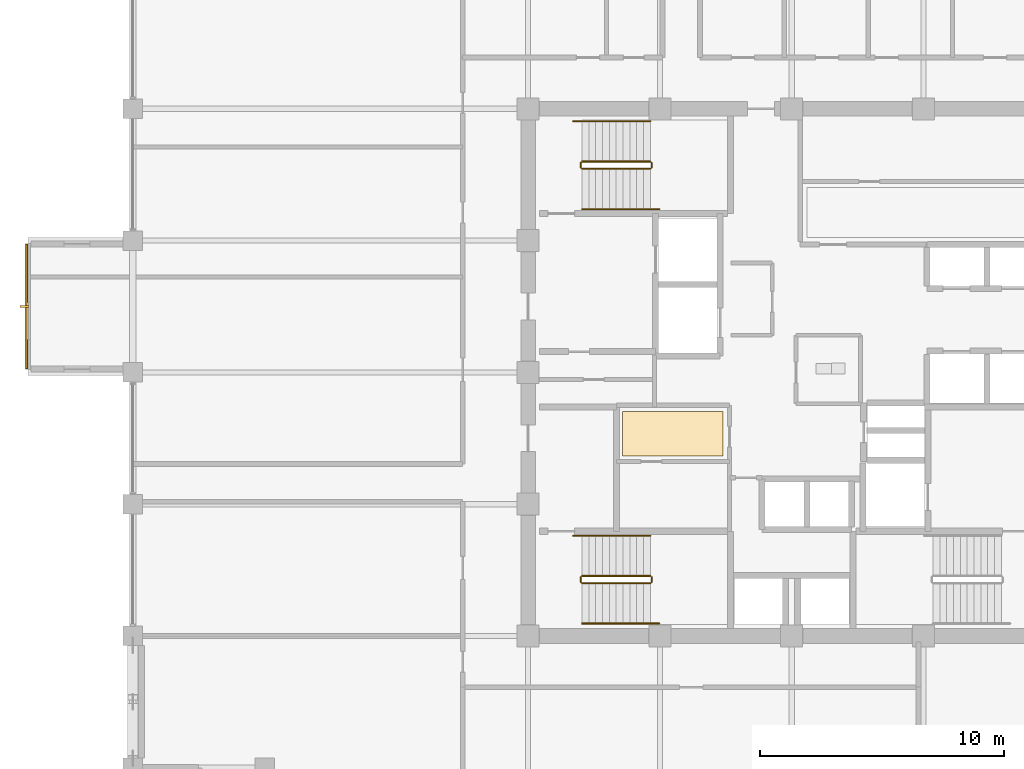
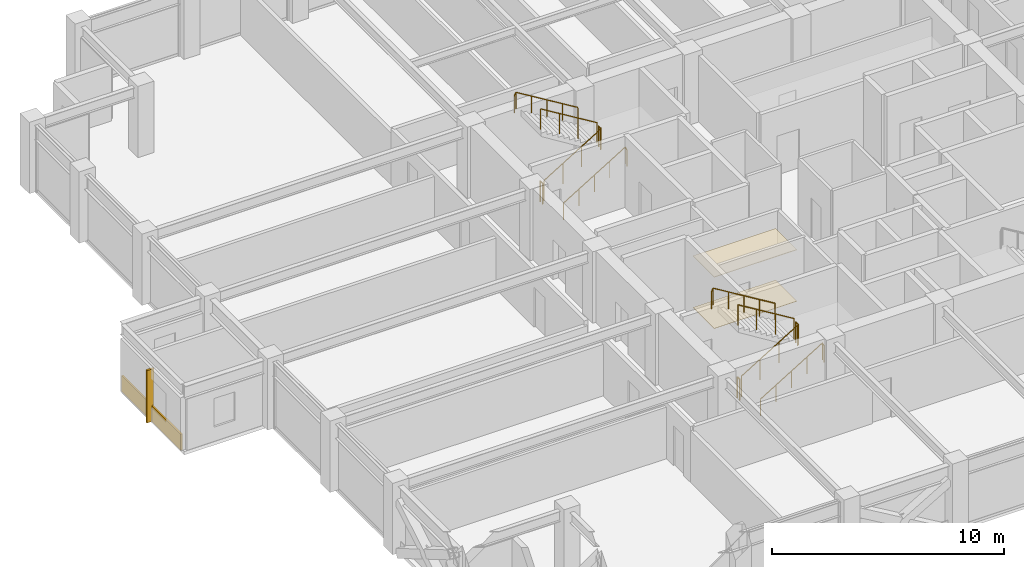
# One storey, part 26 of 28: 12 railings, 3 coverings, 1 shading device.
"""IFC4 building model written with IfcOpenShell, lengths in metres."""

import ifcopenshell
import ifcopenshell.guid

model = None  # the IFC model being written
_history = None  # IfcOwnerHistory: only IFC2X3 demands one
_inside = {}  # id of a spatial element -> (the spatial element, [elements in it])
_under = {}  # id of a project, library or spatial element -> (it, [spatial elements below it])
_declared = {}  # id of a project -> (the project, [libraries it declares])
_typed = {}  # id of a type object -> (the type object, [elements of that type])
_made_of = {}  # id of a material, layer set ... -> (it, [elements and type objects made of it])


def new_model(schema):
    """Start an empty IFC model of exactly this schema.

    Asked for "IFC4X3", IfcOpenShell would pick the latest addendum, in which some entities
    have other attributes; the version numbers below select the first issue.
    IFC2X3 requires an IfcOwnerHistory on every rooted entity: one is made here for all.
    """
    global model, _history
    if schema == "IFC4X3":
        model = ifcopenshell.file(schema_version=(4, 3, 0, 0))
    else:
        model = ifcopenshell.file(schema=schema)
    _inside.clear()
    _under.clear()
    _declared.clear()
    _typed.clear()
    _made_of.clear()
    _history = None
    if model.schema == "IFC2X3":
        org = make("IfcOrganization", Name="unknown")
        user = make(
            "IfcPersonAndOrganization",
            ThePerson=make("IfcPerson", FamilyName="unknown"),
            TheOrganization=org,
        )
        app = make(
            "IfcApplication",
            ApplicationDeveloper=org,
            Version="unknown",
            ApplicationFullName="unknown",
            ApplicationIdentifier="unknown",
        )
        _history = make(
            "IfcOwnerHistory",
            OwningUser=user,
            OwningApplication=app,
            ChangeAction="ADDED",
            CreationDate=0,
        )
    return model


def make(cls, **values):
    """One entity of the class cls with the attributes given. An attribute that is None is left unset."""
    return model.create_entity(
        cls, **{name: value for name, value in values.items() if value is not None}
    )


def rooted(cls, **values):
    """An entity with a GlobalId (a new one), such as an element, a storey or a relation."""
    return make(cls, GlobalId=ifcopenshell.guid.new(), OwnerHistory=_history, **values)


def si_unit(unit_type, name, prefix=None):
    """IfcSIUnit, for example si_unit("LENGTHUNIT", "METRE", prefix="MILLI")."""
    return make("IfcSIUnit", UnitType=unit_type, Prefix=prefix, Name=name)


def assignment(units):
    """IfcUnitAssignment: the units of a project."""
    return None if units is None else make("IfcUnitAssignment", Units=units)


def point(xyz):
    """IfcCartesianPoint."""
    return None if xyz is None else make("IfcCartesianPoint", Coordinates=xyz)


def direction(xyz):
    """IfcDirection."""
    return None if xyz is None else make("IfcDirection", DirectionRatios=xyz)


def frame(location, z_axis=None, x_axis=None):
    """IfcAxis2Placement3D, a coordinate frame: its origin and axes. An axis left out is left unset."""
    return make(
        "IfcAxis2Placement3D",
        Location=point(location),
        Axis=direction(z_axis),
        RefDirection=direction(x_axis),
    )


def frame_2d(location, x_axis=None):
    """IfcAxis2Placement2D, a coordinate frame in the plane: its origin and x axis."""
    return make(
        "IfcAxis2Placement2D", Location=point(location), RefDirection=direction(x_axis)
    )


def origin():
    """The frame at (0, 0, 0) with its axes left unset."""
    return frame((0.0, 0.0, 0.0))


def origin_2d():
    """The frame at (0, 0) in the plane with its x axis left unset."""
    return frame_2d((0.0, 0.0))


def place(relative_to, where):
    """IfcLocalPlacement: puts the frame where relative to a parent placement (None: the world)."""
    return make(
        "IfcLocalPlacement", PlacementRelTo=relative_to, RelativePlacement=where
    )


def context(
    kind, dimensions, precision=None, world=None, true_north=None, identifier=None
):
    """IfcGeometricRepresentationContext, for example the 3D "Model" context."""
    return make(
        "IfcGeometricRepresentationContext",
        ContextIdentifier=identifier,
        ContextType=kind,
        CoordinateSpaceDimension=dimensions,
        Precision=precision,
        WorldCoordinateSystem=world,
        TrueNorth=true_north,
    )


def subcontext(parent, identifier, kind, view, scale=None):
    """IfcGeometricRepresentationSubContext, for example "Body" below "Model"."""
    return make(
        "IfcGeometricRepresentationSubContext",
        ContextIdentifier=identifier,
        ContextType=kind,
        ParentContext=parent,
        TargetScale=scale,
        TargetView=view,
    )


def project(units=None, contexts=None):
    """IfcProject with its units and contexts."""
    return rooted(
        "IfcProject",
        Name="project",
        RepresentationContexts=contexts,
        UnitsInContext=assignment(units),
    )


def spatial(cls, under=None, at=None, **own):
    """A site, building, storey or space (cls), placed at a placement, below another one or the project."""
    s = rooted(cls, ObjectPlacement=at, **own)
    if under is not None:
        _under.setdefault(under.id(), (under, []))[1].append(s)
    return s


def polyline(points):
    """IfcPolyline through the points."""
    return make("IfcPolyline", Points=[point(p) for p in points])


def profile(cls, at=None, kind="AREA", **sizes):
    """A parametric profile (cls). Its sizes go by their IFC names, for example OverallWidth=200.0."""
    return make(cls, ProfileType=kind, Position=at, **sizes)


def rectangle(**sizes):
    """IfcRectangleProfileDef."""
    return profile("IfcRectangleProfileDef", **sizes)


def circle(**sizes):
    """IfcCircleProfileDef."""
    return profile("IfcCircleProfileDef", **sizes)


def outline(outer, holes=None, kind="AREA"):
    """IfcArbitraryClosedProfileDef: a profile drawn as a closed curve; with holes, ...WithVoids."""
    if holes is None:
        return make("IfcArbitraryClosedProfileDef", ProfileType=kind, OuterCurve=outer)
    return make(
        "IfcArbitraryProfileDefWithVoids",
        ProfileType=kind,
        OuterCurve=outer,
        InnerCurves=holes,
    )


def extrude(swept, where, along, depth):
    """IfcExtrudedAreaSolid: the profile swept, set in the frame where, extruded along a direction by depth."""
    return make(
        "IfcExtrudedAreaSolid",
        SweptArea=swept,
        Position=where,
        ExtrudedDirection=direction(along),
        Depth=depth,
    )


def shape(context_of_items, identifier, shape_type, items):
    """IfcShapeRepresentation: the items that make up one representation, for example the "Body"."""
    return make(
        "IfcShapeRepresentation",
        ContextOfItems=context_of_items,
        RepresentationIdentifier=identifier,
        RepresentationType=shape_type,
        Items=items,
    )


def material(Name=None, Category=None):
    """IfcMaterial."""
    return make("IfcMaterial", Name=Name, Category=Category)


def layer(
    of_material, thickness, ventilated=None, Name=None, Category=None, Priority=None
):
    """IfcMaterialLayer: one layer of a wall or slab, of a material (None: an air gap)."""
    return make(
        "IfcMaterialLayer",
        Material=of_material,
        LayerThickness=thickness,
        IsVentilated=ventilated,
        Name=Name,
        Category=Category,
        Priority=Priority,
    )


def layer_set(layers, Name=None):
    """IfcMaterialLayerSet."""
    return make("IfcMaterialLayerSet", MaterialLayers=layers, LayerSetName=Name)


def made_of(thing, what):
    """Note that an element or type object is made of a material, layer set ...; save() writes the relation."""
    if what is not None:
        _made_of.setdefault(what.id(), (what, []))[1].append(thing)
    return thing


def type_object(cls, material=None, **own):
    """A type object (cls), such as IfcWallType, which elements share."""
    return made_of(rooted(cls, **own), material)


def element(
    cls,
    number,
    at=None,
    inside=None,
    cuts=None,
    type_object=None,
    material=None,
    context=None,
    identifier="Body",
    shape_type=None,
    held_by="IfcProductDefinitionShape",
    body=None,
    shapes=None,
    **own,
):
    """One element of the class cls, such as IfcWall. Its Tag is "e" and its number.

    at: its placement. inside: the storey or other place that contains it. cuts: it is an
    opening in that element (IfcRelVoidsElement). A single representation is given by context,
    identifier, shape_type and body (its items); several are given by shapes. held_by: the class
    of the entity that holds the representations. save() writes the other relations.
    """
    e = rooted(cls, Tag="e%d" % number, ObjectPlacement=at, **own)
    if body is not None:
        shapes = [shape(context, identifier, shape_type, body)]
    if shapes is not None:
        e.Representation = make(held_by, Representations=shapes)
    if inside is not None:
        _inside.setdefault(inside.id(), (inside, []))[1].append(e)
    if cuts is not None:
        rooted(
            "IfcRelVoidsElement", RelatingBuildingElement=cuts, RelatedOpeningElement=e
        )
    if type_object is not None:
        _typed.setdefault(type_object.id(), (type_object, []))[1].append(e)
    return made_of(e, material)


def aggregate(whole, parts):
    """IfcRelAggregates: a whole, such as a stair, and the parts it consists of."""
    return rooted("IfcRelAggregates", RelatingObject=whole, RelatedObjects=parts)


def save(model, path):
    """Write the relations noted so far, then the file.

    IfcRelAggregates (storeys below a building ...), IfcRelContainedInSpatialStructure (elements
    in a storey), IfcRelDefinesByType, IfcRelAssociatesMaterial and IfcRelDeclares: one each for
    every whole, place, type object, material and project.
    """
    for whole, parts in _under.values():
        aggregate(whole, parts)
    for where, things in _inside.values():
        rooted(
            "IfcRelContainedInSpatialStructure",
            RelatedElements=things,
            RelatingStructure=where,
        )
    for kind, things in _typed.values():
        rooted("IfcRelDefinesByType", RelatedObjects=things, RelatingType=kind)
    for what, things in _made_of.values():
        rooted("IfcRelAssociatesMaterial", RelatedObjects=things, RelatingMaterial=what)
    for by, libraries in _declared.values():
        rooted("IfcRelDeclares", RelatingContext=by, RelatedDefinitions=libraries)
    model.write(path)


model = new_model("IFC4")

# Units and contexts
model_context = context("Model", 3, precision=1e-05, world=origin(), true_north=direction((0.0, 1.0)))
body_context = subcontext(model_context, "Body", "Model", "MODEL_VIEW")
ifc_project = project(units=[si_unit("LENGTHUNIT", "METRE"), si_unit("AREAUNIT", "SQUARE_METRE"), si_unit("VOLUMEUNIT", "CUBIC_METRE"), si_unit("PLANEANGLEUNIT", "RADIAN"), si_unit("MASSUNIT", "GRAM", prefix="KILO")], contexts=[model_context])

# Site, building, storey
site_placement = place(None, origin())
site = spatial("IfcSite", under=ifc_project, at=site_placement, CompositionType="ELEMENT")
building_placement = place(site_placement, origin())
building = spatial("IfcBuilding", under=site, at=building_placement, Name="Surkhivell Harbour Commons", CompositionType="ELEMENT")
storey_placement = place(building_placement, frame((0.0, 0.0, 246.0)))
storey = spatial("IfcBuildingStorey", under=building, at=storey_placement, Name="L64", CompositionType="ELEMENT", Elevation=246.0)

# Coverings
ifc_material_1 = material(Name="Moisture-resistant gypsum acoustic ceiling board", Category="other")
ifc_layer_1 = layer(ifc_material_1, 0.030029296875)
ifc_layer_set_1 = layer_set([ifc_layer_1], Name="Moisture-resistant gypsum acoustic ceiling board")
covering_type_1 = type_object("IfcCoveringType", Name="COV-CEIL-GYP", PredefinedType="CEILING", material=ifc_layer_set_1)
covering_1_placement = place(storey_placement, frame((0.0, 0.0, 2.699951171875)))
element("IfcCovering", 1, at=covering_1_placement, inside=storey, type_object=covering_type_1, Name="L64 Suspended Acoustic Ceiling 2", PredefinedType="CEILING", context=body_context, shape_type="SweptSolid", body=[
    extrude(outline(polyline([(-6.929931640625, -3.429931640625), (-2.820068359375, -3.429931640625), (-2.820068359375, -1.60009765625), (-6.929931640625, -1.60009765625), (-6.929931640625, -3.429931640625)])), origin(), (0.0, 0.0, 1.0), 0.030029296875),
])
ifc_material_2 = material(Name="Emerald-teal enamelled aluminium cassette panel", Category="aluminium")
ifc_layer_2 = layer(ifc_material_2, 0.068115234375)
ifc_layer_set_2 = layer_set([ifc_layer_2], Name="Emerald-teal enamelled aluminium cassette panel")
covering_type_2 = type_object("IfcCoveringType", Name="COV-CLAD-EME", PredefinedType="CLADDING", material=ifc_layer_set_2)
covering_2_placement = place(storey_placement, frame((-31.340087890625, 2.699951171875, 0.0), z_axis=(0.0, 0.0, 1.0), x_axis=(1.0, 0.0, 0.0)))
element("IfcCovering", 2, at=covering_2_placement, inside=storey, type_object=covering_type_2, Name="L64 Coloured-Panel Box Spandrel Cassette 02", PredefinedType="CLADDING", context=body_context, shape_type="SweptSolid", body=[
    extrude(rectangle(XDim=0.080078125, YDim=5.10009765625, at=origin_2d()), origin(), (0.0, 0.0, 1.0), 0.840087890625),
])
ifc_material_3 = material(Name="Engineered acoustic oak timber flooring", Category="wood")
ifc_layer_3 = layer(ifc_material_3, 0.02001953125)
ifc_layer_set_3 = layer_set([ifc_layer_3], Name="Engineered acoustic oak timber flooring")
covering_type_3 = type_object("IfcCoveringType", Name="COV-FLR-TIM", PredefinedType="FLOORING", material=ifc_layer_set_3)
covering_3_placement = place(storey_placement, origin())
element("IfcCovering", 3, at=covering_3_placement, inside=storey, type_object=covering_type_3, Name="L64 Interior Floor Finish 2", PredefinedType="FLOORING", context=body_context, shape_type="SweptSolid", body=[
    extrude(outline(polyline([(-6.929931640625, -3.429931640625), (-2.820068359375, -3.429931640625), (-2.820068359375, -1.60009765625), (-6.929931640625, -1.60009765625), (-6.929931640625, -3.429931640625)])), origin(), (0.0, 0.0, 1.0), 0.02001953125),
])

# Railings
ifc_material_4 = material(Name="Galvanised and painted steel S355 guard rail", Category="steel")
railing_type_1 = type_object("IfcRailingType", Name="RAL-ST-GRD1100", PredefinedType="GUARDRAIL", material=ifc_material_4)
railing_1_placement = place(storey_placement, frame((-8.590087890625, 8.340087890625, 0.17041015625)))
element("IfcRailing", 4, at=railing_1_placement, inside=storey, type_object=railing_type_1, Name="L64 ST1 stair guard 1", PredefinedType="GUARDRAIL", context=body_context, shape_type="SweptSolid", body=[
    extrude(circle(Radius=0.02392578125, at=origin_2d()), frame((0.0, 0.0, 1.076171875), z_axis=(0.854169791009, 0.0, 0.51999420009), x_axis=(0.0, 1.0, 0.0)), (0.0, 0.0, 1.0), 3.278076171875),
    extrude(circle(Radius=0.02099609375, at=origin_2d()), origin(), (0.0, 0.0, 1.0), 1.052001953125),
    extrude(circle(Radius=0.02099609375, at=origin_2d()), frame((0.933349609375, 0.0, 0.568115234375)), (0.0, 0.0, 1.0), 1.052001953125),
    extrude(circle(Radius=0.02099609375, at=origin_2d()), frame((1.86669921875, 0.0, 1.136474609375)), (0.0, 0.0, 1.0), 1.052001953125),
    extrude(circle(Radius=0.02099609375, at=origin_2d()), frame((2.800048828125, 0.0, 1.70458984375)), (0.0, 0.0, 1.0), 1.052001953125),
])
railing_2_placement = place(storey_placement, frame((-5.739990234375, 8.389892578125, 1.875)))
element("IfcRailing", 5, at=railing_2_placement, inside=storey, type_object=railing_type_1, Name="L64 ST1 stair guard 2", PredefinedType="GUARDRAIL", context=body_context, shape_type="SweptSolid", body=[
    extrude(circle(Radius=0.02392578125, at=origin_2d()), frame((0.0, 0.0, 1.076171875), z_axis=(0.0, 1.0, 0.0), x_axis=(-1.0, 0.0, 0.0)), (0.0, 0.0, 1.0), 0.2001953125),
    extrude(circle(Radius=0.02099609375, at=origin_2d()), origin(), (0.0, 0.0, 1.0), 1.052001953125),
    extrude(circle(Radius=0.02099609375, at=origin_2d()), frame((0.0, 0.2001953125, 0.0)), (0.0, 0.0, 1.0), 1.052001953125),
])
railing_3_placement = place(storey_placement, frame((-5.7900390625, 8.639892578125, 2.04541015625)))
element("IfcRailing", 6, at=railing_3_placement, inside=storey, type_object=railing_type_1, Name="L64 ST1 stair guard 3", PredefinedType="GUARDRAIL", context=body_context, shape_type="SweptSolid", body=[
    extrude(circle(Radius=0.02392578125, at=origin_2d()), frame((0.0, 0.0, 1.076171875), z_axis=(-0.854169791009, 0.0, 0.51999420009), x_axis=(0.0, -1.0, 0.0)), (0.0, 0.0, 1.0), 3.278076171875),
    extrude(circle(Radius=0.02099609375, at=origin_2d()), origin(), (0.0, 0.0, 1.0), 1.052001953125),
    extrude(circle(Radius=0.02099609375, at=origin_2d()), frame((-0.933349609375, 0.0, 0.568115234375)), (0.0, 0.0, 1.0), 1.052001953125),
    extrude(circle(Radius=0.02099609375, at=origin_2d()), frame((-1.86669921875, 0.0, 1.136474609375)), (0.0, 0.0, 1.0), 1.052001953125),
    extrude(circle(Radius=0.02099609375, at=origin_2d()), frame((-2.800048828125, 0.0, 1.70458984375)), (0.0, 0.0, 1.0), 1.052001953125),
])
railing_4_placement = place(storey_placement, frame((-8.639892578125, 8.389892578125, 0.0)))
element("IfcRailing", 7, at=railing_4_placement, inside=storey, type_object=railing_type_1, Name="L64 ST1 stair guard 4", PredefinedType="GUARDRAIL", context=body_context, shape_type="SweptSolid", body=[
    extrude(circle(Radius=0.02392578125, at=origin_2d()), frame((0.0, 0.0, 1.076171875), z_axis=(0.0, 1.0, 0.0), x_axis=(-1.0, 0.0, 0.0)), (0.0, 0.0, 1.0), 0.2001953125),
    extrude(circle(Radius=0.02099609375, at=origin_2d()), origin(), (0.0, 0.0, 1.0), 1.052001953125),
    extrude(circle(Radius=0.02099609375, at=origin_2d()), frame((0.0, 0.2001953125, 0.0)), (0.0, 0.0, 1.0), 1.052001953125),
])
railing_5_placement = place(storey_placement, frame((-8.590087890625, -8.639892578125, 0.17041015625)))
element("IfcRailing", 8, at=railing_5_placement, inside=storey, type_object=railing_type_1, Name="L64 ST3 stair guard 1", PredefinedType="GUARDRAIL", context=body_context, shape_type="SweptSolid", body=[
    extrude(circle(Radius=0.02392578125, at=origin_2d()), frame((0.0, 0.0, 1.076171875), z_axis=(0.854169791009, 0.0, 0.51999420009), x_axis=(0.0, 1.0, 0.0)), (0.0, 0.0, 1.0), 3.278076171875),
    extrude(circle(Radius=0.02099609375, at=origin_2d()), origin(), (0.0, 0.0, 1.0), 1.052001953125),
    extrude(circle(Radius=0.02099609375, at=origin_2d()), frame((0.933349609375, 0.0, 0.568115234375)), (0.0, 0.0, 1.0), 1.052001953125),
    extrude(circle(Radius=0.02099609375, at=origin_2d()), frame((1.86669921875, 0.0, 1.136474609375)), (0.0, 0.0, 1.0), 1.052001953125),
    extrude(circle(Radius=0.02099609375, at=origin_2d()), frame((2.800048828125, 0.0, 1.70458984375)), (0.0, 0.0, 1.0), 1.052001953125),
])
railing_6_placement = place(storey_placement, frame((-5.739990234375, -8.590087890625, 1.875)))
element("IfcRailing", 9, at=railing_6_placement, inside=storey, type_object=railing_type_1, Name="L64 ST3 stair guard 2", PredefinedType="GUARDRAIL", context=body_context, shape_type="SweptSolid", body=[
    extrude(circle(Radius=0.02392578125, at=origin_2d()), frame((0.0, 0.0, 1.076171875), z_axis=(0.0, 1.0, 0.0), x_axis=(-1.0, 0.0, 0.0)), (0.0, 0.0, 1.0), 0.2001953125),
    extrude(circle(Radius=0.02099609375, at=origin_2d()), origin(), (0.0, 0.0, 1.0), 1.052001953125),
    extrude(circle(Radius=0.02099609375, at=origin_2d()), frame((0.0, 0.2001953125, 0.0)), (0.0, 0.0, 1.0), 1.052001953125),
])
railing_7_placement = place(storey_placement, frame((-5.7900390625, -8.340087890625, 2.04541015625)))
element("IfcRailing", 10, at=railing_7_placement, inside=storey, type_object=railing_type_1, Name="L64 ST3 stair guard 3", PredefinedType="GUARDRAIL", context=body_context, shape_type="SweptSolid", body=[
    extrude(circle(Radius=0.02392578125, at=origin_2d()), frame((0.0, 0.0, 1.076171875), z_axis=(-0.854169791009, 0.0, 0.51999420009), x_axis=(0.0, -1.0, 0.0)), (0.0, 0.0, 1.0), 3.278076171875),
    extrude(circle(Radius=0.02099609375, at=origin_2d()), origin(), (0.0, 0.0, 1.0), 1.052001953125),
    extrude(circle(Radius=0.02099609375, at=origin_2d()), frame((-0.933349609375, 0.0, 0.568115234375)), (0.0, 0.0, 1.0), 1.052001953125),
    extrude(circle(Radius=0.02099609375, at=origin_2d()), frame((-1.86669921875, 0.0, 1.136474609375)), (0.0, 0.0, 1.0), 1.052001953125),
    extrude(circle(Radius=0.02099609375, at=origin_2d()), frame((-2.800048828125, 0.0, 1.70458984375)), (0.0, 0.0, 1.0), 1.052001953125),
])
railing_8_placement = place(storey_placement, frame((-8.639892578125, -8.590087890625, 0.0)))
element("IfcRailing", 11, at=railing_8_placement, inside=storey, type_object=railing_type_1, Name="L64 ST3 stair guard 4", PredefinedType="GUARDRAIL", context=body_context, shape_type="SweptSolid", body=[
    extrude(circle(Radius=0.02392578125, at=origin_2d()), frame((0.0, 0.0, 1.076171875), z_axis=(0.0, 1.0, 0.0), x_axis=(-1.0, 0.0, 0.0)), (0.0, 0.0, 1.0), 0.2001953125),
    extrude(circle(Radius=0.02099609375, at=origin_2d()), origin(), (0.0, 0.0, 1.0), 1.052001953125),
    extrude(circle(Radius=0.02099609375, at=origin_2d()), frame((0.0, 0.2001953125, 0.0)), (0.0, 0.0, 1.0), 1.052001953125),
])
ifc_material_5 = material(Name="Brushed stainless steel S355 handrail", Category="steel")
railing_type_2 = type_object("IfcRailingType", Name="RAL-ST-HND900", PredefinedType="HANDRAIL", material=ifc_material_5)
railing_9_placement = place(storey_placement, frame((-8.590087890625, 6.68994140625, 0.17041015625)))
element("IfcRailing", 12, at=railing_9_placement, inside=storey, type_object=railing_type_2, Name="L64 ST1 stair handrail 1", PredefinedType="HANDRAIL", context=body_context, shape_type="SweptSolid", body=[
    extrude(circle(Radius=0.02392578125, at=origin_2d()), frame((0.0, 0.0, 0.8759765625), z_axis=(0.854177636135, 0.0, 0.519981313056), x_axis=(0.0, 1.0, 0.0)), (0.0, 0.0, 1.0), 3.60595703125),
    extrude(circle(Radius=0.02392578125, at=origin_2d()), frame((3.080078125, 0.0, 2.7509765625), z_axis=(0.425297416671, 0.0, -0.905053648892), x_axis=(0.0, 1.0, 0.0)), (0.0, 0.0, 1.0), 0.188232421875),
    extrude(circle(Radius=0.02099609375, at=origin_2d()), origin(), (0.0, 0.0, 1.0), 0.851806640625),
    extrude(circle(Radius=0.02099609375, at=origin_2d()), frame((0.77001953125, 0.0, 0.46875)), (0.0, 0.0, 1.0), 0.851806640625),
    extrude(circle(Radius=0.02099609375, at=origin_2d()), frame((1.5400390625, 0.0, 0.9375)), (0.0, 0.0, 1.0), 0.851806640625),
    extrude(circle(Radius=0.02099609375, at=origin_2d()), frame((2.31005859375, 0.0, 1.40625)), (0.0, 0.0, 1.0), 0.851806640625),
    extrude(circle(Radius=0.02099609375, at=origin_2d()), frame((3.080078125, 0.0, 1.875)), (0.0, 0.0, 1.0), 0.851806640625),
    extrude(circle(Radius=0.02099609375, at=origin_2d()), frame((3.16015625, 0.0, 1.70458984375)), (0.0, 0.0, 1.0), 0.851806640625),
])
railing_10_placement = place(storey_placement, frame((-5.7900390625, 10.2900390625, 2.04541015625)))
element("IfcRailing", 13, at=railing_10_placement, inside=storey, type_object=railing_type_2, Name="L64 ST1 stair handrail 2", PredefinedType="HANDRAIL", context=body_context, shape_type="SweptSolid", body=[
    extrude(circle(Radius=0.02392578125, at=origin_2d()), frame((0.0, 0.0, 0.8759765625), z_axis=(-0.854177636135, 0.0, 0.519981313056), x_axis=(0.0, -1.0, 0.0)), (0.0, 0.0, 1.0), 3.60595703125),
    extrude(circle(Radius=0.02392578125, at=origin_2d()), frame((-3.080078125, 0.0, 2.7509765625), z_axis=(-0.424234432967, 0.0, -0.905552398199), x_axis=(0.0, -1.0, 0.0)), (0.0, 0.0, 1.0), 0.188232421875),
    extrude(circle(Radius=0.02099609375, at=origin_2d()), origin(), (0.0, 0.0, 1.0), 0.851806640625),
    extrude(circle(Radius=0.02099609375, at=origin_2d()), frame((-0.77001953125, 0.0, 0.46875)), (0.0, 0.0, 1.0), 0.851806640625),
    extrude(circle(Radius=0.02099609375, at=origin_2d()), frame((-1.5400390625, 0.0, 0.9375)), (0.0, 0.0, 1.0), 0.851806640625),
    extrude(circle(Radius=0.02099609375, at=origin_2d()), frame((-2.31005859375, 0.0, 1.40625)), (0.0, 0.0, 1.0), 0.851806640625),
    extrude(circle(Radius=0.02099609375, at=origin_2d()), frame((-3.080078125, 0.0, 1.875)), (0.0, 0.0, 1.0), 0.851806640625),
    extrude(circle(Radius=0.02099609375, at=origin_2d()), frame((-3.159912109375, 0.0, 1.70458984375)), (0.0, 0.0, 1.0), 0.851806640625),
])
railing_11_placement = place(storey_placement, frame((-8.590087890625, -10.2900390625, 0.17041015625)))
element("IfcRailing", 14, at=railing_11_placement, inside=storey, type_object=railing_type_2, Name="L64 ST3 stair handrail 1", PredefinedType="HANDRAIL", context=body_context, shape_type="SweptSolid", body=[
    extrude(circle(Radius=0.02392578125, at=origin_2d()), frame((0.0, 0.0, 0.8759765625), z_axis=(0.854177636135, 0.0, 0.519981313056), x_axis=(0.0, 1.0, 0.0)), (0.0, 0.0, 1.0), 3.60595703125),
    extrude(circle(Radius=0.02392578125, at=origin_2d()), frame((3.080078125, 0.0, 2.7509765625), z_axis=(0.425297416671, 0.0, -0.905053648892), x_axis=(0.0, 1.0, 0.0)), (0.0, 0.0, 1.0), 0.188232421875),
    extrude(circle(Radius=0.02099609375, at=origin_2d()), origin(), (0.0, 0.0, 1.0), 0.851806640625),
    extrude(circle(Radius=0.02099609375, at=origin_2d()), frame((0.77001953125, 0.0, 0.46875)), (0.0, 0.0, 1.0), 0.851806640625),
    extrude(circle(Radius=0.02099609375, at=origin_2d()), frame((1.5400390625, 0.0, 0.9375)), (0.0, 0.0, 1.0), 0.851806640625),
    extrude(circle(Radius=0.02099609375, at=origin_2d()), frame((2.31005859375, 0.0, 1.40625)), (0.0, 0.0, 1.0), 0.851806640625),
    extrude(circle(Radius=0.02099609375, at=origin_2d()), frame((3.080078125, 0.0, 1.875)), (0.0, 0.0, 1.0), 0.851806640625),
    extrude(circle(Radius=0.02099609375, at=origin_2d()), frame((3.16015625, 0.0, 1.70458984375)), (0.0, 0.0, 1.0), 0.851806640625),
])
railing_12_placement = place(storey_placement, frame((-5.7900390625, -6.68994140625, 2.04541015625)))
element("IfcRailing", 15, at=railing_12_placement, inside=storey, type_object=railing_type_2, Name="L64 ST3 stair handrail 2", PredefinedType="HANDRAIL", context=body_context, shape_type="SweptSolid", body=[
    extrude(circle(Radius=0.02392578125, at=origin_2d()), frame((0.0, 0.0, 0.8759765625), z_axis=(-0.854177636135, 0.0, 0.519981313056), x_axis=(0.0, -1.0, 0.0)), (0.0, 0.0, 1.0), 3.60595703125),
    extrude(circle(Radius=0.02392578125, at=origin_2d()), frame((-3.080078125, 0.0, 2.7509765625), z_axis=(-0.424234432967, 0.0, -0.905552398199), x_axis=(0.0, -1.0, 0.0)), (0.0, 0.0, 1.0), 0.188232421875),
    extrude(circle(Radius=0.02099609375, at=origin_2d()), origin(), (0.0, 0.0, 1.0), 0.851806640625),
    extrude(circle(Radius=0.02099609375, at=origin_2d()), frame((-0.77001953125, 0.0, 0.46875)), (0.0, 0.0, 1.0), 0.851806640625),
    extrude(circle(Radius=0.02099609375, at=origin_2d()), frame((-1.5400390625, 0.0, 0.9375)), (0.0, 0.0, 1.0), 0.851806640625),
    extrude(circle(Radius=0.02099609375, at=origin_2d()), frame((-2.31005859375, 0.0, 1.40625)), (0.0, 0.0, 1.0), 0.851806640625),
    extrude(circle(Radius=0.02099609375, at=origin_2d()), frame((-3.080078125, 0.0, 1.875)), (0.0, 0.0, 1.0), 0.851806640625),
    extrude(circle(Radius=0.02099609375, at=origin_2d()), frame((-3.159912109375, 0.0, 1.70458984375)), (0.0, 0.0, 1.0), 0.851806640625),
])

# Shading device
ifc_material_6 = material(Name="Anodised pale-metal aluminium solar fin", Category="aluminium")
shading_device_type = type_object("IfcShadingDeviceType", Name="SHD-FIN-VERT", PredefinedType="USERDEFINED", material=ifc_material_6)
shading_device_placement = place(storey_placement, frame((-31.43994140625, 2.699951171875, 0.0048828125), z_axis=(0.0, 0.0, 1.0), x_axis=(1.0, 0.0, 0.0)))
element("IfcShadingDevice", 16, at=shading_device_placement, inside=storey, type_object=shading_device_type, Name="L64 Coloured-Box Solar Fin 02", ObjectType="FIN", PredefinedType="USERDEFINED", context=body_context, shape_type="SweptSolid", body=[
    extrude(rectangle(XDim=0.360107421875, YDim=0.090087890625, at=origin_2d()), origin(), (0.0, 0.0, 1.0), 2.75),
])

save(model, "model.ifc")
